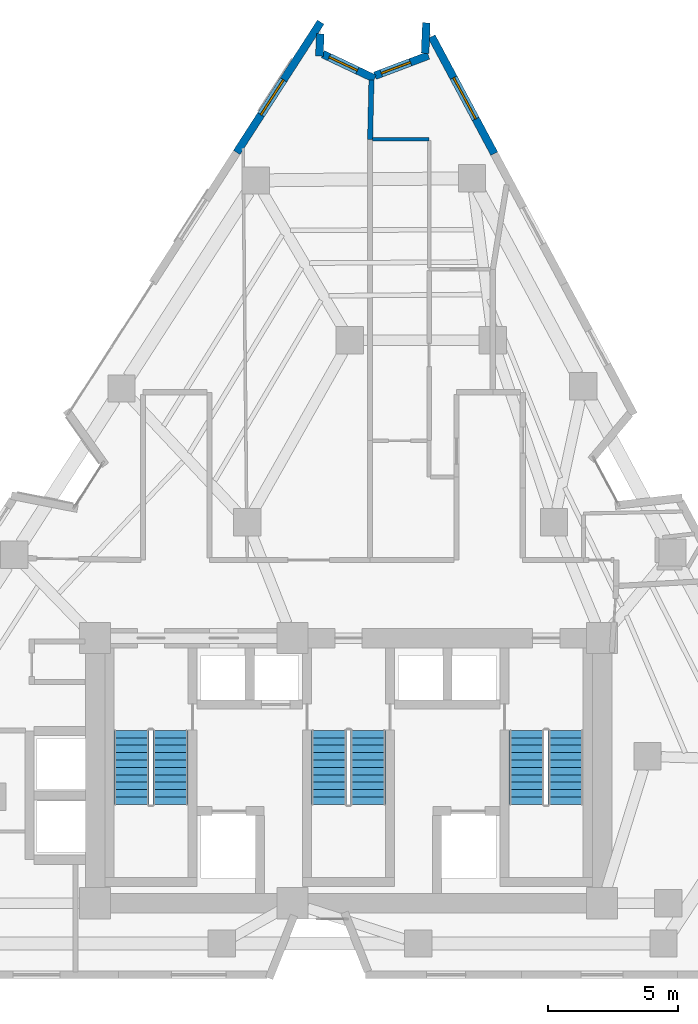
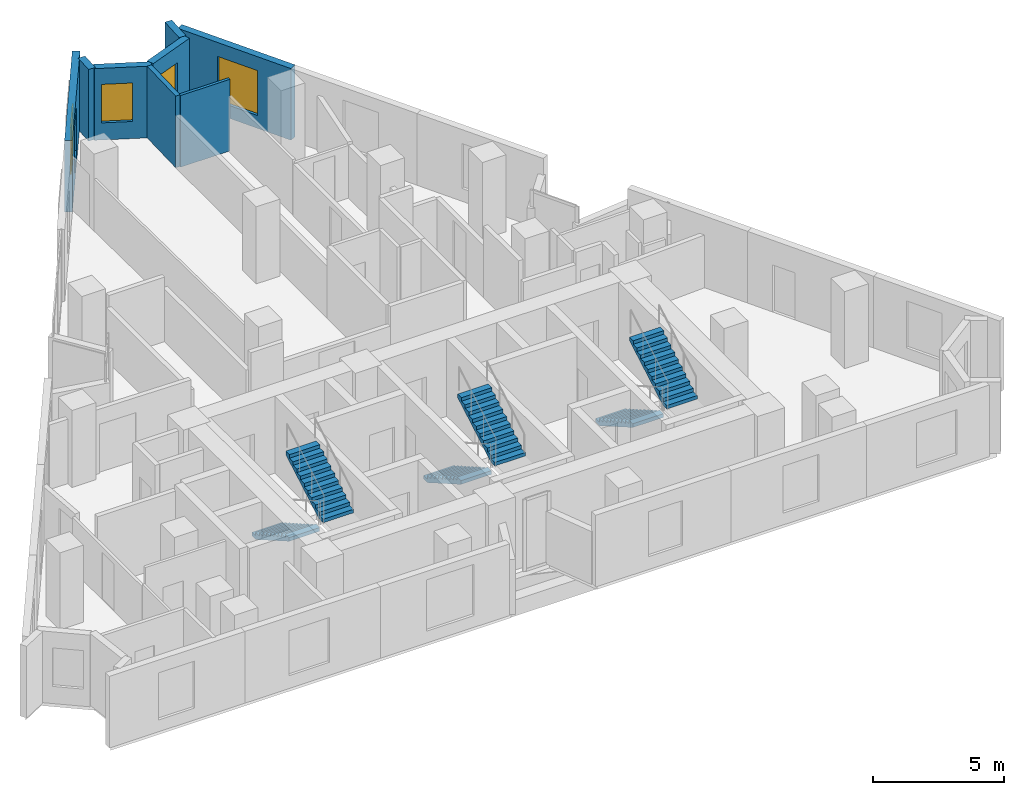
# One storey, part 10 of 12: 8 walls, 6 stair flights, 4 windows, 4 openings, 3 elements without a shape of their own.
"""IFC4 building model written with IfcOpenShell, lengths in metres."""

from ifc_helpers import new_model, si_unit, direction, frame, frame_2d, origin, place, context, subcontext, project, spatial, polyline, rectangle, outline, extrude, material, layer, layer_set, type_object, element, fill, aggregate, save


model = new_model("IFC4")

# Units and contexts
model_context = context("Model", 3, precision=1e-05, world=origin(), true_north=direction((0.0, 1.0)))
body_context = subcontext(model_context, "Body", "Model", "MODEL_VIEW")
ifc_project = project(units=[si_unit("LENGTHUNIT", "METRE"), si_unit("AREAUNIT", "SQUARE_METRE"), si_unit("VOLUMEUNIT", "CUBIC_METRE"), si_unit("PLANEANGLEUNIT", "RADIAN"), si_unit("MASSUNIT", "GRAM", prefix="KILO")], contexts=[model_context])

# Site, building, storey
site_placement = place(None, origin())
site = spatial("IfcSite", under=ifc_project, at=site_placement, CompositionType="ELEMENT")
building_placement = place(site_placement, origin())
building = spatial("IfcBuilding", under=site, at=building_placement, Name="Almagre Mirador Tower", CompositionType="ELEMENT")
storey_placement = place(building_placement, frame((0.0, 0.0, 182.39990234375)))
storey = spatial("IfcBuildingStorey", under=building, at=storey_placement, Name="L47", CompositionType="ELEMENT", Elevation=182.39990234375)

# Wall, opening, window
ifc_material_1 = material(Name="Precast concrete C50/60", Category="concrete")
ifc_layer_1 = layer(ifc_material_1, 0.300048828125)
ifc_layer_set_1 = layer_set([ifc_layer_1], Name="Precast concrete C50/60")
wall_type_1 = type_object("IfcWallType", Name="WAL-EXT-300", PredefinedType="SOLIDWALL", material=ifc_layer_set_1)
wall_1_placement = place(storey_placement, frame((32.998046875, 33.425048828125, 0.0), z_axis=(0.0, 0.0, 1.0), x_axis=(0.542020612911, 0.840365191556, 0.0)))
wall_1 = element("IfcWall", 1, at=wall_1_placement, inside=storey, type_object=wall_type_1, Name="L47 expressed almagre precast frame wall 04", PredefinedType="SOLIDWALL", context=body_context, shape_type="SweptSolid", body=[
    extrude(rectangle(XDim=5.96630859375, YDim=0.300048828125, at=frame_2d((2.983154296875, 0.0))), origin(), (0.0, 0.0, 1.0), 3.35009765625),
])
opening_1_placement = place(wall_1_placement, frame((1.72509765625, 0.0, 0.550048828125)))
opening_1 = element("IfcOpeningElement", 2, at=opening_1_placement, cuts=wall_1, Name="Opening WN-06", PredefinedType="OPENING", context=body_context, shape_type="SweptSolid", body=[
    extrude(rectangle(XDim=1.60009765625, YDim=2.199951171875, at=frame_2d((0.800048828125, 1.10009765625))), frame((0.0, 0.159902, 0.0), z_axis=(0.0, -1.0, 0.0), x_axis=(1.0, 0.0, 0.0)), (0.0, 0.0, 1.0), 0.320049),
])
ifc_material_2 = material(Name="Dark solar-control laminated hurricane glass", Category="glass")
window_type_1 = type_object("IfcWindowType", Name="WIN-1600X2200", PartitioningType="DOUBLE_PANEL_VERTICAL", PredefinedType="WINDOW", material=ifc_material_2)
window_1_placement = place(opening_1_placement, origin())
window_1 = element("IfcWindow", 3, at=window_1_placement, inside=storey, type_object=window_type_1, Name="L47 recessed hurricane window L47-RST-E", OverallHeight=2.199951171875, OverallWidth=1.60009765625, PartitioningType="SINGLE_PANEL", PredefinedType="WINDOW", context=body_context, shape_type="SweptSolid", body=[
    extrude(rectangle(XDim=1.60009765625, YDim=2.199951171875, at=frame_2d((0.800048828125, 1.10009765625))), frame((0.0, 0.030029296875, 0.0), z_axis=(0.0, -1.0, 0.0), x_axis=(1.0, 0.0, 0.0)), (0.0, 0.0, 1.0), 0.06005859375),
])
fill(opening_1, window_1)

# Wall
wall_2_placement = place(storey_placement, frame((36.21337890625, 37.989501953125, 0.0), z_axis=(0.0, 0.0, 1.0), x_axis=(-0.040874902035, -0.999164271971, 0.0)))
element("IfcWall", 4, at=wall_2_placement, inside=storey, type_object=wall_type_1, Name="L47 expressed almagre precast frame wall 05", PredefinedType="SOLIDWALL", context=body_context, shape_type="SweptSolid", body=[
    extrude(rectangle(XDim=0.860107421875, YDim=0.300048828125, at=frame_2d((0.43017578125, 0.0))), origin(), (0.0, 0.0, 1.0), 3.35009765625),
])

# Wall, opening, window
wall_3_placement = place(storey_placement, frame((36.310546875, 37.2099609375, 0.0), z_axis=(0.0, 0.0, 1.0), x_axis=(0.903471604204, -0.428647944585, 0.0)))
wall_3 = element("IfcWall", 5, at=wall_3_placement, inside=storey, type_object=wall_type_1, Name="L47 expressed almagre precast frame wall 06", PredefinedType="SOLIDWALL", context=body_context, shape_type="SweptSolid", body=[
    extrude(rectangle(XDim=2.204833984375, YDim=0.300048828125, at=frame_2d((1.1025390625, 0.0))), origin(), (0.0, 0.0, 1.0), 3.35009765625),
])
opening_2_placement = place(wall_3_placement, frame((0.27001953125, 0.0, 0.800048828125)))
opening_2 = element("IfcOpeningElement", 6, at=opening_2_placement, cuts=wall_3, Name="Opening WN-04", PredefinedType="OPENING", context=body_context, shape_type="SweptSolid", body=[
    extrude(rectangle(XDim=1.199951171875, YDim=1.800048828125, at=frame_2d((0.60009765625, 0.89990234375))), frame((0.0, 0.159902, 0.0), z_axis=(0.0, -1.0, 0.0), x_axis=(1.0, 0.0, 0.0)), (0.0, 0.0, 1.0), 0.320049),
])
ifc_material_3 = material(Name="Dark solar-control laminated hurricane glass", Category="glass")
window_type_2 = type_object("IfcWindowType", Name="WIN-1200X1800", PartitioningType="SINGLE_PANEL", PredefinedType="WINDOW", material=ifc_material_3)
window_2_placement = place(opening_2_placement, origin())
window_2 = element("IfcWindow", 7, at=window_2_placement, inside=storey, type_object=window_type_2, Name="L47 recessed hurricane window L47-RST-E", OverallHeight=1.800048828125, OverallWidth=1.199951171875, PartitioningType="SINGLE_PANEL", PredefinedType="WINDOW", context=body_context, shape_type="SweptSolid", body=[
    extrude(rectangle(XDim=1.199951171875, YDim=1.800048828125, at=frame_2d((0.60009765625, 0.89990234375))), frame((0.0, 0.030029296875, 0.0), z_axis=(0.0, -1.0, 0.0), x_axis=(1.0, 0.0, 0.0)), (0.0, 0.0, 1.0), 0.06005859375),
])
fill(opening_2, window_2)

wall_4_placement = place(storey_placement, frame((38.31640625, 36.3779296875, 0.0), z_axis=(0.0, 0.0, 1.0), x_axis=(0.935503953589, 0.353316222129, 0.0)))
wall_4 = element("IfcWall", 8, at=wall_4_placement, inside=storey, type_object=wall_type_1, Name="L47 expressed almagre precast frame wall 07", PredefinedType="SOLIDWALL", context=body_context, shape_type="SweptSolid", body=[
    extrude(rectangle(XDim=2.1953125, YDim=0.300048828125, at=frame_2d((1.09765625, 0.0))), origin(), (0.0, 0.0, 1.0), 3.35009765625),
])
opening_3_placement = place(wall_4_placement, frame((0.260009765625, 0.0, 0.800048828125)))
opening_3 = element("IfcOpeningElement", 9, at=opening_3_placement, cuts=wall_4, Name="Opening WN-04", PredefinedType="OPENING", context=body_context, shape_type="SweptSolid", body=[
    extrude(rectangle(XDim=1.199951171875, YDim=1.800048828125, at=frame_2d((0.60009765625, 0.89990234375))), frame((0.0, 0.159902, 0.0), z_axis=(0.0, -1.0, 0.0), x_axis=(1.0, 0.0, 0.0)), (0.0, 0.0, 1.0), 0.320049),
])
window_3_placement = place(opening_3_placement, origin())
window_3 = element("IfcWindow", 10, at=window_3_placement, inside=storey, type_object=window_type_2, Name="L47 recessed hurricane window L47-UG-KT", OverallHeight=1.800048828125, OverallWidth=1.199951171875, PartitioningType="SINGLE_PANEL", PredefinedType="WINDOW", context=body_context, shape_type="SweptSolid", body=[
    extrude(rectangle(XDim=1.199951171875, YDim=1.800048828125, at=frame_2d((0.60009765625, 0.89990234375))), frame((0.0, 0.030029296875, 0.0), z_axis=(0.0, -1.0, 0.0), x_axis=(1.0, 0.0, 0.0)), (0.0, 0.0, 1.0), 0.06005859375),
])
fill(opening_3, window_3)

# Wall
wall_5_placement = place(storey_placement, frame((40.24462890625, 37.239013671875, 0.0), z_axis=(0.0, 0.0, 1.0), x_axis=(0.040939027533, 0.999161646594, 0.0)))
element("IfcWall", 11, at=wall_5_placement, inside=storey, type_object=wall_type_1, Name="L47 expressed almagre precast frame wall 08", PredefinedType="SOLIDWALL", context=body_context, shape_type="SweptSolid", body=[
    extrude(rectangle(XDim=1.1748046875, YDim=0.300048828125, at=frame_2d((0.58740234375, 0.0))), origin(), (0.0, 0.0, 1.0), 3.35009765625),
])

# Wall, opening, window
wall_6_placement = place(storey_placement, frame((40.4970703125, 37.880615234375, 0.0), z_axis=(0.0, 0.0, 1.0), x_axis=(0.47173271257, -0.881741599274, 0.0)))
wall_6 = element("IfcWall", 12, at=wall_6_placement, inside=storey, type_object=wall_type_1, Name="L47 expressed almagre precast frame wall 09", PredefinedType="SOLIDWALL", context=body_context, shape_type="SweptSolid", body=[
    extrude(rectangle(XDim=5.1025390625, YDim=0.300048828125, at=frame_2d((2.55126953125, 0.0))), origin(), (0.0, 0.0, 1.0), 3.35009765625),
])
opening_4_placement = place(wall_6_placement, frame((1.7900390625, 0.0, 0.60009765625)))
opening_4 = element("IfcOpeningElement", 13, at=opening_4_placement, cuts=wall_6, Name="Opening WN-01", PredefinedType="OPENING", context=body_context, shape_type="SweptSolid", body=[
    extrude(rectangle(XDim=1.800048828125, YDim=2.10009765625, at=frame_2d((0.89990234375, 1.050048828125))), frame((0.0, 0.159902, 0.0), z_axis=(0.0, -1.0, 0.0), x_axis=(1.0, 0.0, 0.0)), (0.0, 0.0, 1.0), 0.320049),
])
ifc_material_4 = material(Name="Dark solar-control laminated hurricane glass", Category="glass")
window_type_3 = type_object("IfcWindowType", Name="WIN-1800X2100", PartitioningType="DOUBLE_PANEL_VERTICAL", PredefinedType="WINDOW", material=ifc_material_4)
window_4_placement = place(opening_4_placement, origin())
window_4 = element("IfcWindow", 14, at=window_4_placement, inside=storey, type_object=window_type_3, Name="L47 recessed hurricane window L47-UG-KT", OverallHeight=2.10009765625, OverallWidth=1.800048828125, PartitioningType="SINGLE_PANEL", PredefinedType="WINDOW", context=body_context, shape_type="SweptSolid", body=[
    extrude(rectangle(XDim=1.800048828125, YDim=2.10009765625, at=frame_2d((0.89990234375, 1.050048828125))), frame((0.0, 0.030029296875, 0.0), z_axis=(0.0, -1.0, 0.0), x_axis=(1.0, 0.0, 0.0)), (0.0, 0.0, 1.0), 0.06005859375),
])
fill(opening_4, window_4)

# Walls
ifc_material_5 = material(Name="Gypsum acoustic stud partition", Category="other")
ifc_layer_2 = layer(ifc_material_5, 0.125)
ifc_layer_set_2 = layer_set([ifc_layer_2], Name="Gypsum acoustic stud partition")
wall_type_2 = type_object("IfcWallType", Name="WAL-PRT-125-UTL", PredefinedType="PARTITIONING", material=ifc_layer_set_2)
wall_7_placement = place(storey_placement, frame((38.215087890625, 33.929931640625, 0.0), z_axis=(0.0, 0.0, 1.0), x_axis=(1.0, 0.0, 0.0)))
element("IfcWall", 15, at=wall_7_placement, inside=storey, type_object=wall_type_2, Name="L47 interior partition 050", PredefinedType="PARTITIONING", context=body_context, shape_type="SweptSolid", body=[
    extrude(rectangle(XDim=2.184814453125, YDim=0.125, at=frame_2d((1.09228515625, 0.0))), origin(), (0.0, 0.0, 1.0), 3.35009765625),
])
ifc_material_6 = material(Name="Gypsum acoustic stud partition", Category="other")
ifc_layer_3 = layer(ifc_material_6, 0.199951171875)
ifc_layer_set_3 = layer_set([ifc_layer_3], Name="Gypsum acoustic stud partition")
wall_type_3 = type_object("IfcWallType", Name="WAL-PRT-200-EI60", PredefinedType="PARTITIONING", material=ifc_layer_set_3)
wall_8_placement = place(storey_placement, frame((38.1298828125, 33.929931640625, 0.0), z_axis=(0.0, 0.0, 1.0), x_axis=(0.022821190318, 0.999739562722, 0.0)))
element("IfcWall", 16, at=wall_8_placement, inside=storey, type_object=wall_type_3, Name="L47 interior partition 037", PredefinedType="PARTITIONING", context=body_context, shape_type="SweptSolid", body=[
    extrude(rectangle(XDim=2.278564453125, YDim=0.199951171875, at=frame_2d((1.13916015625, 0.0))), origin(), (0.0, 0.0, 1.0), 3.35009765625),
])

# Stair, stair flights
ifc_material_7 = material(Name="Concrete C45/55", Category="concrete")
stair_type = type_object("IfcStairType", Name="STR-DL-3600", PredefinedType="HALF_TURN_STAIR", material=ifc_material_7)
stair_1_placement = place(storey_placement, origin())
stair_1 = element("IfcStair", 17, at=stair_1_placement, inside=storey, type_object=stair_type, Name="L47 Protected exit stair ST-1", PredefinedType="HALF_TURN_STAIR")
ifc_material_8 = material(Name="Concrete C45/55", Category="concrete")
stair_flight_type = type_object("IfcStairFlightType", Name="FLT-DL-3600", PredefinedType="STRAIGHT", material=ifc_material_8)
stair_flight_1_placement = place(storey_placement, frame((28.949951171875, 11.199951171875, 0.0), z_axis=(0.0, 0.0, 1.0), x_axis=(0.0, -1.0, 0.0)))
stair_flight_1 = element("IfcStairFlight", 18, at=stair_flight_1_placement, type_object=stair_flight_type, Name="ST-1 flight 1", NumberOfRisers=11, NumberOfTreads=10, PredefinedType="STRAIGHT", RiserHeight=0.163636364, TreadLength=0.285, context=body_context, shape_type="SweptSolid", body=[
    extrude(outline(polyline([(0.0, 0.0), (0.0, 0.16357421875), (0.284912109375, 0.16357421875), (0.284912109375, 0.327392578125), (0.570068359375, 0.327392578125), (0.570068359375, 0.490966796875), (0.85498046875, 0.490966796875), (0.85498046875, 0.654541015625), (1.139892578125, 0.654541015625), (1.139892578125, 0.818115234375), (1.425048828125, 0.818115234375), (1.425048828125, 0.98193359375), (1.7099609375, 0.98193359375), (1.7099609375, 1.1455078125), (1.9951171875, 1.1455078125), (1.9951171875, 1.30908203125), (2.280029296875, 1.30908203125), (2.280029296875, 1.47265625), (2.56494140625, 1.47265625), (2.56494140625, 1.636474609375), (2.85009765625, 1.636474609375), (2.85009765625, 1.800048828125), (2.85009765625, 1.463623046875), (0.301025390625, 0.0), (0.0, 0.0)])), frame((0.0, 0.675048828125, 0.0), z_axis=(0.0, -1.0, 0.0), x_axis=(1.0, 0.0, 0.0)), (0.0, 0.0, 1.0), 1.35009765625),
])
stair_flight_2_placement = place(storey_placement, frame((30.449951171875, 8.35009765625, 1.800048828125), z_axis=(0.0, 0.0, 1.0), x_axis=(0.0, 1.0, 0.0)))
stair_flight_2 = element("IfcStairFlight", 19, at=stair_flight_2_placement, type_object=stair_flight_type, Name="ST-1 flight 2", NumberOfRisers=11, NumberOfTreads=10, PredefinedType="STRAIGHT", RiserHeight=0.163636364, TreadLength=0.285, context=body_context, shape_type="SweptSolid", body=[
    extrude(outline(polyline([(0.0, 0.0), (0.0, 0.16357421875), (0.284912109375, 0.16357421875), (0.284912109375, 0.327392578125), (0.570068359375, 0.327392578125), (0.570068359375, 0.490966796875), (0.85498046875, 0.490966796875), (0.85498046875, 0.654541015625), (1.139892578125, 0.654541015625), (1.139892578125, 0.818115234375), (1.425048828125, 0.818115234375), (1.425048828125, 0.98193359375), (1.7099609375, 0.98193359375), (1.7099609375, 1.1455078125), (1.9951171875, 1.1455078125), (1.9951171875, 1.30908203125), (2.280029296875, 1.30908203125), (2.280029296875, 1.47265625), (2.56494140625, 1.47265625), (2.56494140625, 1.636474609375), (2.85009765625, 1.636474609375), (2.85009765625, 1.800048828125), (2.85009765625, 1.463623046875), (0.301025390625, 0.0), (0.0, 0.0)])), frame((0.0, 0.675048828125, 0.0), z_axis=(0.0, -1.0, 0.0), x_axis=(1.0, 0.0, 0.0)), (0.0, 0.0, 1.0), 1.35009765625),
])
aggregate(stair_1, [stair_flight_1, stair_flight_2])

stair_2_placement = place(storey_placement, origin())
stair_2 = element("IfcStair", 20, at=stair_2_placement, inside=storey, type_object=stair_type, Name="L47 Protected exit stair ST-2", PredefinedType="HALF_TURN_STAIR")
stair_flight_3_placement = place(storey_placement, frame((36.550048828125, 11.199951171875, 0.0), z_axis=(0.0, 0.0, 1.0), x_axis=(0.0, -1.0, 0.0)))
stair_flight_3 = element("IfcStairFlight", 21, at=stair_flight_3_placement, type_object=stair_flight_type, Name="ST-2 flight 1", NumberOfRisers=11, NumberOfTreads=10, PredefinedType="STRAIGHT", RiserHeight=0.163636364, TreadLength=0.285, context=body_context, shape_type="SweptSolid", body=[
    extrude(outline(polyline([(0.0, 0.0), (0.0, 0.16357421875), (0.284912109375, 0.16357421875), (0.284912109375, 0.327392578125), (0.570068359375, 0.327392578125), (0.570068359375, 0.490966796875), (0.85498046875, 0.490966796875), (0.85498046875, 0.654541015625), (1.139892578125, 0.654541015625), (1.139892578125, 0.818115234375), (1.425048828125, 0.818115234375), (1.425048828125, 0.98193359375), (1.7099609375, 0.98193359375), (1.7099609375, 1.1455078125), (1.9951171875, 1.1455078125), (1.9951171875, 1.30908203125), (2.280029296875, 1.30908203125), (2.280029296875, 1.47265625), (2.56494140625, 1.47265625), (2.56494140625, 1.636474609375), (2.85009765625, 1.636474609375), (2.85009765625, 1.800048828125), (2.85009765625, 1.463623046875), (0.301025390625, 0.0), (0.0, 0.0)])), frame((0.0, 0.675048828125, 0.0), z_axis=(0.0, -1.0, 0.0), x_axis=(1.0, 0.0, 0.0)), (0.0, 0.0, 1.0), 1.35009765625),
])
stair_flight_4_placement = place(storey_placement, frame((38.050048828125, 8.35009765625, 1.800048828125), z_axis=(0.0, 0.0, 1.0), x_axis=(0.0, 1.0, 0.0)))
stair_flight_4 = element("IfcStairFlight", 22, at=stair_flight_4_placement, type_object=stair_flight_type, Name="ST-2 flight 2", NumberOfRisers=11, NumberOfTreads=10, PredefinedType="STRAIGHT", RiserHeight=0.163636364, TreadLength=0.285, context=body_context, shape_type="SweptSolid", body=[
    extrude(outline(polyline([(0.0, 0.0), (0.0, 0.16357421875), (0.284912109375, 0.16357421875), (0.284912109375, 0.327392578125), (0.570068359375, 0.327392578125), (0.570068359375, 0.490966796875), (0.85498046875, 0.490966796875), (0.85498046875, 0.654541015625), (1.139892578125, 0.654541015625), (1.139892578125, 0.818115234375), (1.425048828125, 0.818115234375), (1.425048828125, 0.98193359375), (1.7099609375, 0.98193359375), (1.7099609375, 1.1455078125), (1.9951171875, 1.1455078125), (1.9951171875, 1.30908203125), (2.280029296875, 1.30908203125), (2.280029296875, 1.47265625), (2.56494140625, 1.47265625), (2.56494140625, 1.636474609375), (2.85009765625, 1.636474609375), (2.85009765625, 1.800048828125), (2.85009765625, 1.463623046875), (0.301025390625, 0.0), (0.0, 0.0)])), frame((0.0, 0.675048828125, 0.0), z_axis=(0.0, -1.0, 0.0), x_axis=(1.0, 0.0, 0.0)), (0.0, 0.0, 1.0), 1.35009765625),
])
aggregate(stair_2, [stair_flight_3, stair_flight_4])

stair_3_placement = place(storey_placement, origin())
stair_3 = element("IfcStair", 23, at=stair_3_placement, inside=storey, type_object=stair_type, Name="L47 Protected exit stair ST-3", PredefinedType="HALF_TURN_STAIR")
stair_flight_5_placement = place(storey_placement, frame((44.14990234375, 11.199951171875, 0.0), z_axis=(0.0, 0.0, 1.0), x_axis=(0.0, -1.0, 0.0)))
stair_flight_5 = element("IfcStairFlight", 24, at=stair_flight_5_placement, type_object=stair_flight_type, Name="ST-3 flight 1", NumberOfRisers=11, NumberOfTreads=10, PredefinedType="STRAIGHT", RiserHeight=0.163636364, TreadLength=0.285, context=body_context, shape_type="SweptSolid", body=[
    extrude(outline(polyline([(0.0, 0.0), (0.0, 0.16357421875), (0.284912109375, 0.16357421875), (0.284912109375, 0.327392578125), (0.570068359375, 0.327392578125), (0.570068359375, 0.490966796875), (0.85498046875, 0.490966796875), (0.85498046875, 0.654541015625), (1.139892578125, 0.654541015625), (1.139892578125, 0.818115234375), (1.425048828125, 0.818115234375), (1.425048828125, 0.98193359375), (1.7099609375, 0.98193359375), (1.7099609375, 1.1455078125), (1.9951171875, 1.1455078125), (1.9951171875, 1.30908203125), (2.280029296875, 1.30908203125), (2.280029296875, 1.47265625), (2.56494140625, 1.47265625), (2.56494140625, 1.636474609375), (2.85009765625, 1.636474609375), (2.85009765625, 1.800048828125), (2.85009765625, 1.463623046875), (0.301025390625, 0.0), (0.0, 0.0)])), frame((0.0, 0.675048828125, 0.0), z_axis=(0.0, -1.0, 0.0), x_axis=(1.0, 0.0, 0.0)), (0.0, 0.0, 1.0), 1.35009765625),
])
stair_flight_6_placement = place(storey_placement, frame((45.64990234375, 8.35009765625, 1.800048828125), z_axis=(0.0, 0.0, 1.0), x_axis=(0.0, 1.0, 0.0)))
stair_flight_6 = element("IfcStairFlight", 25, at=stair_flight_6_placement, type_object=stair_flight_type, Name="ST-3 flight 2", NumberOfRisers=11, NumberOfTreads=10, PredefinedType="STRAIGHT", RiserHeight=0.163636364, TreadLength=0.285, context=body_context, shape_type="SweptSolid", body=[
    extrude(outline(polyline([(0.0, 0.0), (0.0, 0.16357421875), (0.284912109375, 0.16357421875), (0.284912109375, 0.327392578125), (0.570068359375, 0.327392578125), (0.570068359375, 0.490966796875), (0.85498046875, 0.490966796875), (0.85498046875, 0.654541015625), (1.139892578125, 0.654541015625), (1.139892578125, 0.818115234375), (1.425048828125, 0.818115234375), (1.425048828125, 0.98193359375), (1.7099609375, 0.98193359375), (1.7099609375, 1.1455078125), (1.9951171875, 1.1455078125), (1.9951171875, 1.30908203125), (2.280029296875, 1.30908203125), (2.280029296875, 1.47265625), (2.56494140625, 1.47265625), (2.56494140625, 1.636474609375), (2.85009765625, 1.636474609375), (2.85009765625, 1.800048828125), (2.85009765625, 1.463623046875), (0.301025390625, 0.0), (0.0, 0.0)])), frame((0.0, 0.675048828125, 0.0), z_axis=(0.0, -1.0, 0.0), x_axis=(1.0, 0.0, 0.0)), (0.0, 0.0, 1.0), 1.35009765625),
])
aggregate(stair_3, [stair_flight_5, stair_flight_6])

save(model, "model.ifc")
